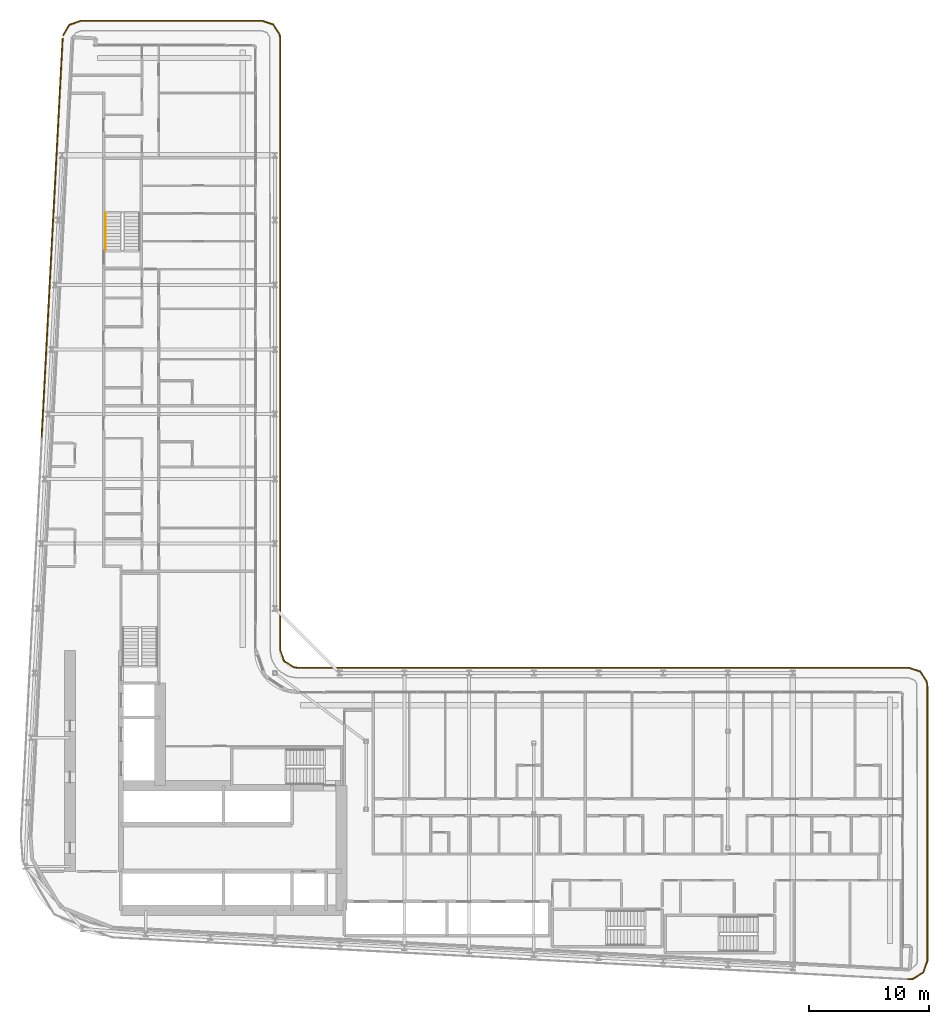
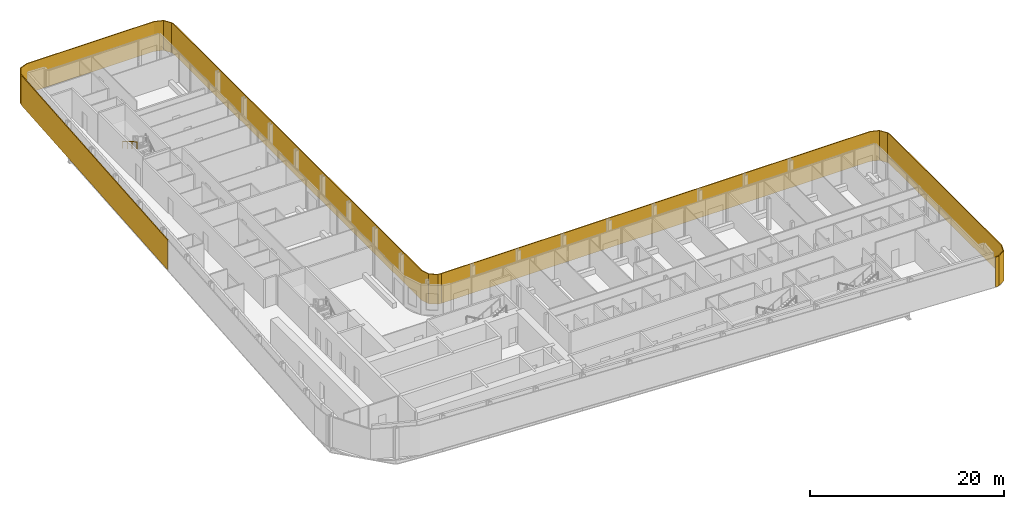
# One storey, part 26 of 28: 3 shading devices, 1 railing.
"""IFC4 building model written with IfcOpenShell, lengths in metres."""

from ifc_helpers import new_model, si_unit, direction, frame, origin, origin_2d, place, context, subcontext, project, spatial, polyline, rectangle, circle, outline, extrude, material, layer, layer_set, type_object, element, save


model = new_model("IFC4")

# Units and contexts
model_context = context("Model", 3, precision=1e-05, world=origin(), true_north=direction((0.0, 1.0)))
body_context = subcontext(model_context, "Body", "Model", "MODEL_VIEW")
ifc_project = project(units=[si_unit("LENGTHUNIT", "METRE"), si_unit("AREAUNIT", "SQUARE_METRE"), si_unit("VOLUMEUNIT", "CUBIC_METRE"), si_unit("PLANEANGLEUNIT", "RADIAN"), si_unit("MASSUNIT", "GRAM", prefix="KILO")], contexts=[model_context])

# Site, building, storey
site_placement = place(None, origin())
site = spatial("IfcSite", under=ifc_project, at=site_placement, CompositionType="ELEMENT")
building_placement = place(site_placement, origin())
building = spatial("IfcBuilding", under=site, at=building_placement, Name="Kheshtan School and Residences Tower", CompositionType="ELEMENT")
storey_placement = place(building_placement, frame((0.0, 0.0, 137.0)))
storey = spatial("IfcBuildingStorey", under=building, at=storey_placement, Name="L32", CompositionType="ELEMENT", Elevation=137.0)

# Shading devices
ifc_material_1 = material(Name="Terracotta baguette, extruded ceramic", Category="masonry")
ifc_layer_1 = layer(ifc_material_1, 0.10009765625)
ifc_layer_set_1 = layer_set([ifc_layer_1], Name="Ledge screen, terracotta baguettes")
shading_device_type_1 = type_object("IfcShadingDeviceType", Name="Ledge screen, terracotta baguettes", PredefinedType="USERDEFINED", material=ifc_layer_set_1)
shading_device_1_placement = place(storey_placement, frame((28.9990234375, 81.93408203125, 0.0), z_axis=(0.0, 0.0, 1.0), x_axis=(0.052562536748, 0.998617634398, 0.0)))
element("IfcShadingDevice", 1, at=shading_device_1_placement, inside=storey, type_object=shading_device_type_1, Name="Screen L32 5", ObjectType="BAGUETTE", PredefinedType="USERDEFINED", context=body_context, shape_type="SweptSolid", body=[
    extrude(rectangle(XDim=33.341064453125, YDim=0.10009765625, at=origin_2d()), origin(), (0.0, 0.0, 1.0), 3.75),
])
ifc_material_2 = material(Name="Terracotta lattice, extruded ceramic", Category="masonry")
ifc_layer_2 = layer(ifc_material_2, 0.10009765625)
ifc_layer_set_2 = layer_set([ifc_layer_2], Name="Loggia screen, terracotta lattice")
shading_device_type_2 = type_object("IfcShadingDeviceType", Name="Loggia screen, terracotta lattice", PredefinedType="USERDEFINED", material=ifc_layer_set_2)
shading_device_2_placement = place(storey_placement, origin())
element("IfcShadingDevice", 2, at=shading_device_2_placement, inside=storey, type_object=shading_device_type_2, Name="Screen L32 1", ObjectType="SCREEN", PredefinedType="USERDEFINED", context=body_context, shape_type="SweptSolid", body=[
    extrude(outline(polyline([(29.949951171875, 98.783935546875), (30.468017578125, 99.656982421875), (31.423095703125, 100.0), (46.5, 100.0), (47.4130859375, 99.68994140625), (47.948974609375, 98.887939453125), (48.0, 98.5), (48.0, 47.5), (48.31005859375, 46.5869140625), (49.112060546875, 46.051025390625), (49.5, 46.0), (49.512939453125, 46.09912109375), (49.14794921875, 46.14697265625), (48.39404296875, 46.65087890625), (48.10009765625, 47.51708984375), (48.10009765625, 98.507080078125), (48.044921875, 98.924072265625), (47.47705078125, 99.77392578125), (46.51708984375, 100.10009765625), (31.406005859375, 100.10009765625), (30.39990234375, 99.739013671875), (29.864013671875, 98.8349609375), (29.949951171875, 98.783935546875)])), origin(), (0.0, 0.0, 1.0), 3.75),
])
shading_device_3_placement = place(storey_placement, origin())
element("IfcShadingDevice", 3, at=shading_device_3_placement, inside=storey, type_object=shading_device_type_2, Name="Screen L32 2", ObjectType="SCREEN", PredefinedType="USERDEFINED", context=body_context, shape_type="SweptSolid", body=[
    extrude(outline(polyline([(49.5, 46.0), (100.5, 46.0), (101.4130859375, 45.68994140625), (101.948974609375, 44.887939453125), (102.0, 44.5), (102.0, 21.5810546875), (101.669921875, 20.64208984375), (100.823974609375, 20.116943359375), (100.4208984375, 20.0830078125), (100.428955078125, 19.98291015625), (100.85595703125, 20.01904296875), (101.7529296875, 20.575927734375), (102.10009765625, 21.56396484375), (102.10009765625, 44.507080078125), (102.044921875, 44.924072265625), (101.47705078125, 45.77392578125), (100.51708984375, 46.10009765625), (49.5, 46.10009765625), (49.5, 46.0)])), origin(), (0.0, 0.0, 1.0), 3.75),
])

# Railing
ifc_material_3 = material(Name="Stainless steel handrail", Category="steel")
railing_type = type_object("IfcRailingType", Name="Stair handrail 900", PredefinedType="HANDRAIL", material=ifc_material_3)
railing_placement = place(storey_placement, frame((33.449951171875, 83.97998046875, 2.112548828125)))
element("IfcRailing", 4, at=railing_placement, inside=storey, type_object=railing_type, Name="L32 ST3 stair handrail 2", PredefinedType="HANDRAIL", context=body_context, shape_type="SweptSolid", body=[
    extrude(circle(Radius=0.02392578125, at=origin_2d()), frame((0.0, 0.0, 0.8759765625), z_axis=(0.0, -0.864920483161, 0.501908913857), x_axis=(1.0, 0.0, 0.0)), (0.0, 0.0, 1.0), 3.56103515625),
    extrude(circle(Radius=0.02099609375, at=origin_2d()), origin(), (0.0, 0.0, 1.0), 0.851806640625),
    extrude(circle(Radius=0.02099609375, at=origin_2d()), frame((0.0, -1.026611328125, 0.595703125)), (0.0, 0.0, 1.0), 0.851806640625),
    extrude(circle(Radius=0.02099609375, at=origin_2d()), frame((0.0, -2.053466796875, 1.191650390625)), (0.0, 0.0, 1.0), 0.851806640625),
    extrude(circle(Radius=0.02099609375, at=origin_2d()), frame((0.0, -3.080078125, 1.787353515625)), (0.0, 0.0, 1.0), 0.851806640625),
])

save(model, "model.ifc")
